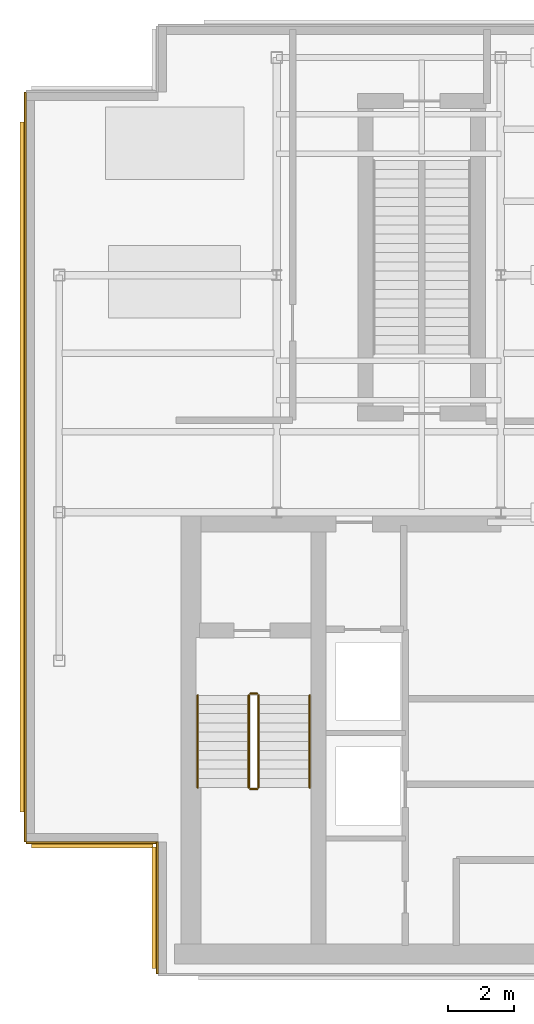
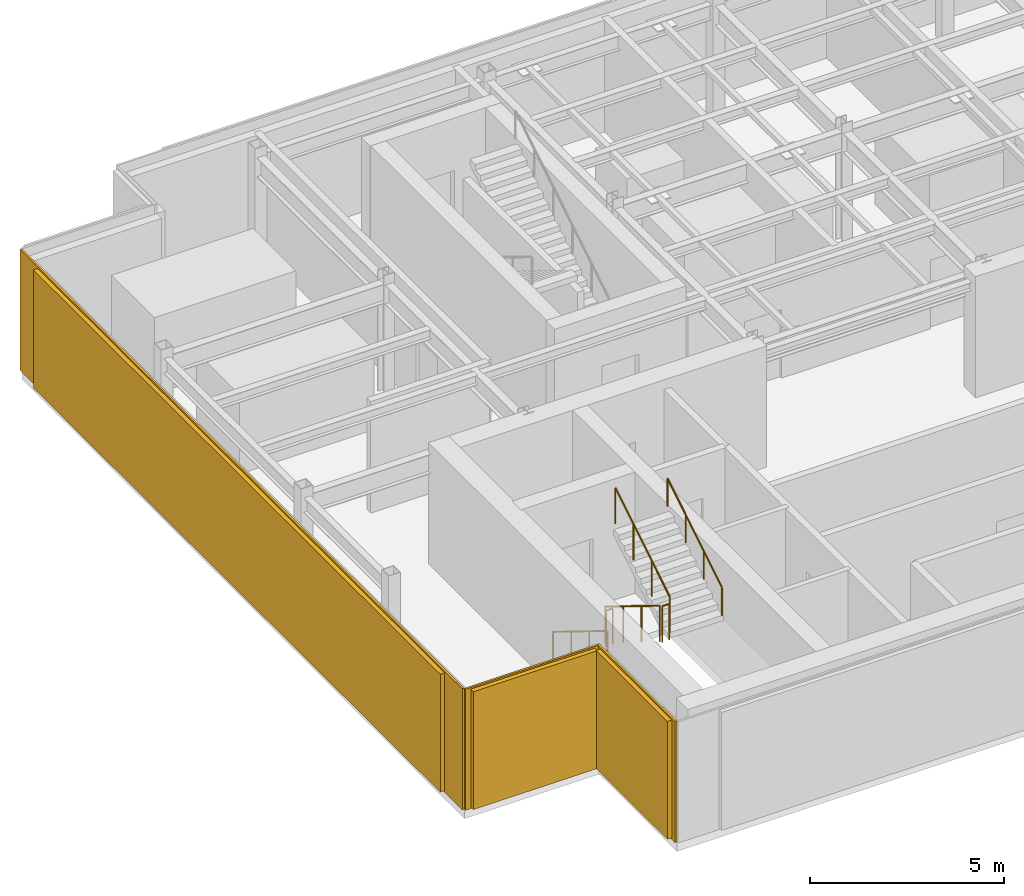
# One storey, part 4 of 7: 6 railings, 3 coverings, 3 shading devices.
"""IFC4 building model written with IfcOpenShell, lengths in metres."""

import ifcopenshell
import ifcopenshell.guid

model = None  # the IFC model being written
_history = None  # IfcOwnerHistory: only IFC2X3 demands one
_inside = {}  # id of a spatial element -> (the spatial element, [elements in it])
_under = {}  # id of a project, library or spatial element -> (it, [spatial elements below it])
_declared = {}  # id of a project -> (the project, [libraries it declares])
_typed = {}  # id of a type object -> (the type object, [elements of that type])
_made_of = {}  # id of a material, layer set ... -> (it, [elements and type objects made of it])


def new_model(schema):
    """Start an empty IFC model of exactly this schema.

    Asked for "IFC4X3", IfcOpenShell would pick the latest addendum, in which some entities
    have other attributes; the version numbers below select the first issue.
    IFC2X3 requires an IfcOwnerHistory on every rooted entity: one is made here for all.
    """
    global model, _history
    if schema == "IFC4X3":
        model = ifcopenshell.file(schema_version=(4, 3, 0, 0))
    else:
        model = ifcopenshell.file(schema=schema)
    _inside.clear()
    _under.clear()
    _declared.clear()
    _typed.clear()
    _made_of.clear()
    _history = None
    if model.schema == "IFC2X3":
        org = make("IfcOrganization", Name="unknown")
        user = make(
            "IfcPersonAndOrganization",
            ThePerson=make("IfcPerson", FamilyName="unknown"),
            TheOrganization=org,
        )
        app = make(
            "IfcApplication",
            ApplicationDeveloper=org,
            Version="unknown",
            ApplicationFullName="unknown",
            ApplicationIdentifier="unknown",
        )
        _history = make(
            "IfcOwnerHistory",
            OwningUser=user,
            OwningApplication=app,
            ChangeAction="ADDED",
            CreationDate=0,
        )
    return model


def make(cls, **values):
    """One entity of the class cls with the attributes given. An attribute that is None is left unset."""
    return model.create_entity(
        cls, **{name: value for name, value in values.items() if value is not None}
    )


def rooted(cls, **values):
    """An entity with a GlobalId (a new one), such as an element, a storey or a relation."""
    return make(cls, GlobalId=ifcopenshell.guid.new(), OwnerHistory=_history, **values)


def si_unit(unit_type, name, prefix=None):
    """IfcSIUnit, for example si_unit("LENGTHUNIT", "METRE", prefix="MILLI")."""
    return make("IfcSIUnit", UnitType=unit_type, Prefix=prefix, Name=name)


def derived_unit(unit_type, elements):
    """IfcDerivedUnit: a product of units, each with its exponent."""
    return make(
        "IfcDerivedUnit",
        Elements=[
            make("IfcDerivedUnitElement", Unit=unit, Exponent=power)
            for unit, power in elements
        ],
        UnitType=unit_type,
    )


def assignment(units):
    """IfcUnitAssignment: the units of a project."""
    return None if units is None else make("IfcUnitAssignment", Units=units)


def point(xyz):
    """IfcCartesianPoint."""
    return None if xyz is None else make("IfcCartesianPoint", Coordinates=xyz)


def direction(xyz):
    """IfcDirection."""
    return None if xyz is None else make("IfcDirection", DirectionRatios=xyz)


def frame(location, z_axis=None, x_axis=None):
    """IfcAxis2Placement3D, a coordinate frame: its origin and axes. An axis left out is left unset."""
    return make(
        "IfcAxis2Placement3D",
        Location=point(location),
        Axis=direction(z_axis),
        RefDirection=direction(x_axis),
    )


def frame_2d(location, x_axis=None):
    """IfcAxis2Placement2D, a coordinate frame in the plane: its origin and x axis."""
    return make(
        "IfcAxis2Placement2D", Location=point(location), RefDirection=direction(x_axis)
    )


def origin():
    """The frame at (0, 0, 0) with its axes left unset."""
    return frame((0.0, 0.0, 0.0))


def origin_2d():
    """The frame at (0, 0) in the plane with its x axis left unset."""
    return frame_2d((0.0, 0.0))


def place(relative_to, where):
    """IfcLocalPlacement: puts the frame where relative to a parent placement (None: the world)."""
    return make(
        "IfcLocalPlacement", PlacementRelTo=relative_to, RelativePlacement=where
    )


def context(
    kind, dimensions, precision=None, world=None, true_north=None, identifier=None
):
    """IfcGeometricRepresentationContext, for example the 3D "Model" context."""
    return make(
        "IfcGeometricRepresentationContext",
        ContextIdentifier=identifier,
        ContextType=kind,
        CoordinateSpaceDimension=dimensions,
        Precision=precision,
        WorldCoordinateSystem=world,
        TrueNorth=true_north,
    )


def subcontext(parent, identifier, kind, view, scale=None):
    """IfcGeometricRepresentationSubContext, for example "Body" below "Model"."""
    return make(
        "IfcGeometricRepresentationSubContext",
        ContextIdentifier=identifier,
        ContextType=kind,
        ParentContext=parent,
        TargetScale=scale,
        TargetView=view,
    )


def project(units=None, contexts=None):
    """IfcProject with its units and contexts."""
    return rooted(
        "IfcProject",
        Name="project",
        RepresentationContexts=contexts,
        UnitsInContext=assignment(units),
    )


def spatial(cls, under=None, at=None, **own):
    """A site, building, storey or space (cls), placed at a placement, below another one or the project."""
    s = rooted(cls, ObjectPlacement=at, **own)
    if under is not None:
        _under.setdefault(under.id(), (under, []))[1].append(s)
    return s


def profile(cls, at=None, kind="AREA", **sizes):
    """A parametric profile (cls). Its sizes go by their IFC names, for example OverallWidth=200.0."""
    return make(cls, ProfileType=kind, Position=at, **sizes)


def rectangle(**sizes):
    """IfcRectangleProfileDef."""
    return profile("IfcRectangleProfileDef", **sizes)


def circle(**sizes):
    """IfcCircleProfileDef."""
    return profile("IfcCircleProfileDef", **sizes)


def extrude(swept, where, along, depth):
    """IfcExtrudedAreaSolid: the profile swept, set in the frame where, extruded along a direction by depth."""
    return make(
        "IfcExtrudedAreaSolid",
        SweptArea=swept,
        Position=where,
        ExtrudedDirection=direction(along),
        Depth=depth,
    )


def shape(context_of_items, identifier, shape_type, items):
    """IfcShapeRepresentation: the items that make up one representation, for example the "Body"."""
    return make(
        "IfcShapeRepresentation",
        ContextOfItems=context_of_items,
        RepresentationIdentifier=identifier,
        RepresentationType=shape_type,
        Items=items,
    )


def source(mapping_origin, context_of_items, identifier, shape_type, items):
    """IfcRepresentationMap: a shape defined once, which mapped items show again and again."""
    return make(
        "IfcRepresentationMap",
        MappingOrigin=mapping_origin,
        MappedRepresentation=shape(context_of_items, identifier, shape_type, items),
    )


def transform(
    local_origin,
    x_axis=None,
    y_axis=None,
    z_axis=None,
    scale=None,
    scale2=None,
    scale3=None,
    uniform=True,
):
    """IfcCartesianTransformationOperator3D, or its non-uniform kind. x_axis, y_axis, z_axis: its Axis1, 2, 3."""
    if uniform:
        return make(
            "IfcCartesianTransformationOperator3D",
            Axis1=direction(x_axis),
            Axis2=direction(y_axis),
            LocalOrigin=point(local_origin),
            Scale=scale,
            Axis3=direction(z_axis),
        )
    return make(
        "IfcCartesianTransformationOperator3DnonUniform",
        Axis1=direction(x_axis),
        Axis2=direction(y_axis),
        LocalOrigin=point(local_origin),
        Scale=scale,
        Axis3=direction(z_axis),
        Scale2=scale2,
        Scale3=scale3,
    )


def mapped(mapping_source, mapping_target):
    """IfcMappedItem: shows the shape of a source again, moved by a transform."""
    return make(
        "IfcMappedItem", MappingSource=mapping_source, MappingTarget=mapping_target
    )


def material(Name=None, Category=None):
    """IfcMaterial."""
    return make("IfcMaterial", Name=Name, Category=Category)


def layer(
    of_material, thickness, ventilated=None, Name=None, Category=None, Priority=None
):
    """IfcMaterialLayer: one layer of a wall or slab, of a material (None: an air gap)."""
    return make(
        "IfcMaterialLayer",
        Material=of_material,
        LayerThickness=thickness,
        IsVentilated=ventilated,
        Name=Name,
        Category=Category,
        Priority=Priority,
    )


def layer_set(layers, Name=None):
    """IfcMaterialLayerSet."""
    return make("IfcMaterialLayerSet", MaterialLayers=layers, LayerSetName=Name)


def made_of(thing, what):
    """Note that an element or type object is made of a material, layer set ...; save() writes the relation."""
    if what is not None:
        _made_of.setdefault(what.id(), (what, []))[1].append(thing)
    return thing


def type_object(cls, material=None, **own):
    """A type object (cls), such as IfcWallType, which elements share."""
    return made_of(rooted(cls, **own), material)


def element(
    cls,
    number,
    at=None,
    inside=None,
    cuts=None,
    type_object=None,
    material=None,
    context=None,
    identifier="Body",
    shape_type=None,
    held_by="IfcProductDefinitionShape",
    body=None,
    shapes=None,
    **own,
):
    """One element of the class cls, such as IfcWall. Its Tag is "e" and its number.

    at: its placement. inside: the storey or other place that contains it. cuts: it is an
    opening in that element (IfcRelVoidsElement). A single representation is given by context,
    identifier, shape_type and body (its items); several are given by shapes. held_by: the class
    of the entity that holds the representations. save() writes the other relations.
    """
    e = rooted(cls, Tag="e%d" % number, ObjectPlacement=at, **own)
    if body is not None:
        shapes = [shape(context, identifier, shape_type, body)]
    if shapes is not None:
        e.Representation = make(held_by, Representations=shapes)
    if inside is not None:
        _inside.setdefault(inside.id(), (inside, []))[1].append(e)
    if cuts is not None:
        rooted(
            "IfcRelVoidsElement", RelatingBuildingElement=cuts, RelatedOpeningElement=e
        )
    if type_object is not None:
        _typed.setdefault(type_object.id(), (type_object, []))[1].append(e)
    return made_of(e, material)


def aggregate(whole, parts):
    """IfcRelAggregates: a whole, such as a stair, and the parts it consists of."""
    return rooted("IfcRelAggregates", RelatingObject=whole, RelatedObjects=parts)


def save(model, path):
    """Write the relations noted so far, then the file.

    IfcRelAggregates (storeys below a building ...), IfcRelContainedInSpatialStructure (elements
    in a storey), IfcRelDefinesByType, IfcRelAssociatesMaterial and IfcRelDeclares: one each for
    every whole, place, type object, material and project.
    """
    for whole, parts in _under.values():
        aggregate(whole, parts)
    for where, things in _inside.values():
        rooted(
            "IfcRelContainedInSpatialStructure",
            RelatedElements=things,
            RelatingStructure=where,
        )
    for kind, things in _typed.values():
        rooted("IfcRelDefinesByType", RelatedObjects=things, RelatingType=kind)
    for what, things in _made_of.values():
        rooted("IfcRelAssociatesMaterial", RelatedObjects=things, RelatingMaterial=what)
    for by, libraries in _declared.values():
        rooted("IfcRelDeclares", RelatingContext=by, RelatedDefinitions=libraries)
    model.write(path)


model = new_model("IFC4")

# Units and contexts
model_context = context("Model", 3, precision=1e-05, world=origin(), true_north=direction((0.0, 1.0)))
body_context = subcontext(model_context, "Body", "Model", "MODEL_VIEW")
ifc_project = project(units=[si_unit("LENGTHUNIT", "METRE"), si_unit("AREAUNIT", "SQUARE_METRE"), si_unit("VOLUMEUNIT", "CUBIC_METRE"), si_unit("PLANEANGLEUNIT", "RADIAN"), si_unit("MASSUNIT", "GRAM", prefix="KILO"), derived_unit("THERMALTRANSMITTANCEUNIT", [(si_unit("POWERUNIT", "WATT"), 1), (si_unit("LENGTHUNIT", "METRE"), -2), (si_unit("THERMODYNAMICTEMPERATUREUNIT", "KELVIN"), -1)])], contexts=[model_context])

# Site, building, storey
site_placement = place(None, origin())
site = spatial("IfcSite", under=ifc_project, at=site_placement, CompositionType="ELEMENT")
building_placement = place(site_placement, origin())
building = spatial("IfcBuilding", under=site, at=building_placement, Name="Skarnbrae Concourse Arena and Tower", CompositionType="ELEMENT")
storey_placement = place(building_placement, frame((0.0, 0.0, 307.449951171875)))
storey = spatial("IfcBuildingStorey", under=building, at=storey_placement, Name="L80", CompositionType="ELEMENT", Elevation=307.449951171875)

# Railings
ifc_material_1 = material(Name="Steel CSA G40.21 350W", Category="steel")
railing_type_1 = type_object("IfcRailingType", Name="RAIL-HANDRAIL-900", PredefinedType="HANDRAIL", material=ifc_material_1)
railing_1_placement = place(storey_placement, frame((5.199951171875, 8.449951171875, 0.1728515625)))
element("IfcRailing", 1, at=railing_1_placement, inside=storey, type_object=railing_type_1, Name="L80 ST-1 stair handrail 1", PredefinedType="HANDRAIL", context=body_context, shape_type="SweptSolid", body=[
    extrude(circle(Radius=0.02392578125, at=origin_2d()), frame((0.0, 0.0, 0.8759765625), z_axis=(0.0, -0.851089632645, 0.525020415988), x_axis=(1.0, 0.0, 0.0)), (0.0, 0.0, 1.0), 3.2900390625),
    extrude(circle(Radius=0.02099609375, at=origin_2d()), origin(), (0.0, 0.0, 1.0), 0.851806640625),
    extrude(circle(Radius=0.02099609375, at=origin_2d()), frame((0.0, -0.933349609375, 0.57568359375)), (0.0, 0.0, 1.0), 0.851806640625),
    extrude(circle(Radius=0.02099609375, at=origin_2d()), frame((0.0, -1.86669921875, 1.151611328125)), (0.0, 0.0, 1.0), 0.851806640625),
    extrude(circle(Radius=0.02099609375, at=origin_2d()), frame((0.0, -2.800048828125, 1.727294921875)), (0.0, 0.0, 1.0), 0.851806640625),
])
railing_2_placement = place(storey_placement, frame((8.60009765625, 5.64990234375, 2.07275390625)))
element("IfcRailing", 2, at=railing_2_placement, inside=storey, type_object=railing_type_1, Name="L80 ST-1 stair handrail 2", PredefinedType="HANDRAIL", context=body_context, shape_type="SweptSolid", body=[
    extrude(circle(Radius=0.02392578125, at=origin_2d()), frame((0.0, 0.0, 0.8759765625), z_axis=(0.0, 0.851089632645, 0.525020415988), x_axis=(-1.0, 0.0, 0.0)), (0.0, 0.0, 1.0), 3.2900390625),
    extrude(circle(Radius=0.02099609375, at=origin_2d()), origin(), (0.0, 0.0, 1.0), 0.851806640625),
    extrude(circle(Radius=0.02099609375, at=origin_2d()), frame((0.0, 0.933349609375, 0.57568359375)), (0.0, 0.0, 1.0), 0.851806640625),
    extrude(circle(Radius=0.02099609375, at=origin_2d()), frame((0.0, 1.86669921875, 1.151611328125)), (0.0, 0.0, 1.0), 0.851806640625),
    extrude(circle(Radius=0.02099609375, at=origin_2d()), frame((0.0, 2.800048828125, 1.727294921875)), (0.0, 0.0, 1.0), 0.851806640625),
])
railing_type_2 = type_object("IfcRailingType", Name="RAIL-STAIR-GUARD-1150", PredefinedType="GUARDRAIL", material=ifc_material_1)
railing_3_placement = place(storey_placement, frame((6.75, 8.449951171875, 0.1728515625)))
element("IfcRailing", 3, at=railing_3_placement, inside=storey, type_object=railing_type_2, Name="L80 ST-1 stair guard 1", PredefinedType="GUARDRAIL", context=body_context, shape_type="SweptSolid", body=[
    extrude(circle(Radius=0.02392578125, at=origin_2d()), frame((0.0, 0.0, 1.1259765625), z_axis=(0.0, -0.851089632645, 0.525020415988), x_axis=(1.0, 0.0, 0.0)), (0.0, 0.0, 1.0), 3.2900390625),
    extrude(circle(Radius=0.02099609375, at=origin_2d()), origin(), (0.0, 0.0, 1.0), 1.101806640625),
    extrude(circle(Radius=0.02099609375, at=origin_2d()), frame((0.0, -0.933349609375, 0.57568359375)), (0.0, 0.0, 1.0), 1.101806640625),
    extrude(circle(Radius=0.02099609375, at=origin_2d()), frame((0.0, -1.86669921875, 1.151611328125)), (0.0, 0.0, 1.0), 1.101806640625),
    extrude(circle(Radius=0.02099609375, at=origin_2d()), frame((0.0, -2.800048828125, 1.727294921875)), (0.0, 0.0, 1.0), 1.101806640625),
])
railing_4_placement = place(storey_placement, frame((6.800048828125, 5.60009765625, 1.900146484375)))
element("IfcRailing", 4, at=railing_4_placement, inside=storey, type_object=railing_type_2, Name="L80 ST-1 stair guard 2", PredefinedType="GUARDRAIL", context=body_context, shape_type="SweptSolid", body=[
    extrude(circle(Radius=0.02392578125, at=origin_2d()), frame((0.0, 0.0, 1.1259765625), z_axis=(1.0, 0.0, 0.0), x_axis=(0.0, 1.0, 0.0)), (0.0, 0.0, 1.0), 0.199951171875),
    extrude(circle(Radius=0.02099609375, at=origin_2d()), origin(), (0.0, 0.0, 1.0), 1.101806640625),
    extrude(circle(Radius=0.02099609375, at=origin_2d()), frame((0.199951171875, 0.0, 0.0)), (0.0, 0.0, 1.0), 1.101806640625),
])
railing_5_placement = place(storey_placement, frame((7.050048828125, 5.64990234375, 2.07275390625)))
element("IfcRailing", 5, at=railing_5_placement, inside=storey, type_object=railing_type_2, Name="L80 ST-1 stair guard 3", PredefinedType="GUARDRAIL", context=body_context, shape_type="SweptSolid", body=[
    extrude(circle(Radius=0.02392578125, at=origin_2d()), frame((0.0, 0.0, 1.1259765625), z_axis=(0.0, 0.851089632645, 0.525020415988), x_axis=(-1.0, 0.0, 0.0)), (0.0, 0.0, 1.0), 3.2900390625),
    extrude(circle(Radius=0.02099609375, at=origin_2d()), origin(), (0.0, 0.0, 1.0), 1.101806640625),
    extrude(circle(Radius=0.02099609375, at=origin_2d()), frame((0.0, 0.933349609375, 0.57568359375)), (0.0, 0.0, 1.0), 1.101806640625),
    extrude(circle(Radius=0.02099609375, at=origin_2d()), frame((0.0, 1.86669921875, 1.151611328125)), (0.0, 0.0, 1.0), 1.101806640625),
    extrude(circle(Radius=0.02099609375, at=origin_2d()), frame((0.0, 2.800048828125, 1.727294921875)), (0.0, 0.0, 1.0), 1.101806640625),
])
railing_6_placement = place(storey_placement, frame((6.800048828125, 8.5, 0.0)))
element("IfcRailing", 6, at=railing_6_placement, inside=storey, type_object=railing_type_2, Name="L80 ST-1 stair guard 4", PredefinedType="GUARDRAIL", context=body_context, shape_type="SweptSolid", body=[
    extrude(circle(Radius=0.02392578125, at=origin_2d()), frame((0.0, 0.0, 1.1259765625), z_axis=(1.0, 0.0, 0.0), x_axis=(0.0, 1.0, 0.0)), (0.0, 0.0, 1.0), 0.199951171875),
    extrude(circle(Radius=0.02099609375, at=origin_2d()), origin(), (0.0, 0.0, 1.0), 1.101806640625),
    extrude(circle(Radius=0.02099609375, at=origin_2d()), frame((0.199951171875, 0.0, 0.0)), (0.0, 0.0, 1.0), 1.101806640625),
])

# Coverings
ifc_material_2 = material(Name="Bronze anodised aluminium 6063-T6", Category="aluminium")
ifc_layer = layer(ifc_material_2, 0.06005859375)
ifc_layer_set = layer_set([ifc_layer], Name="Bronze anodised aluminium 6063-T6")
covering_type = type_object("IfcCoveringType", Name="COV-CLAD-BRONZE-60", PredefinedType="CLADDING", material=ifc_layer_set)
shared_shape_1 = source(origin(), body_context, "Body", "SweptSolid", [
    extrude(rectangle(XDim=4.0, YDim=0.06005859375, at=origin_2d()), origin(), (0.0, 0.0, 1.0), 3.800048828125),
])
for number, where, z_axis, x_axis, name in (
    (7, (2.0, 3.969970703125, 0.0), (0.0, 0.0, 1.0), (1.0, 0.0, 0.0), "L80 Bronze crown rainscreen cladding 11"),
    (8, (3.969970703125, 2.0, 0.0), (0.0, 0.0, 1.0), (0.0, -1.0, 0.0), "L80 Bronze crown rainscreen cladding 12"),
):
    element("IfcCovering", number, at=place(storey_placement, frame(where, z_axis=z_axis, x_axis=x_axis)), inside=storey, type_object=covering_type, Name=name, PredefinedType="CLADDING", context=body_context, shape_type="MappedRepresentation", body=[
        mapped(shared_shape_1, transform((0.0, 0.0, 0.0))),
    ])

# Shading devices
shading_device_type = type_object("IfcShadingDeviceType", Name="SHD-BRONZE-LOUVRE-150", PredefinedType="USERDEFINED", material=ifc_material_2)
shared_shape_2 = source(origin(), body_context, "Body", "SweptSolid", [
    extrude(rectangle(XDim=3.679931640625, YDim=0.139892578125, at=origin_2d()), origin(), (0.0, 0.0, 1.0), 3.699951171875),
])
for number, where, z_axis, x_axis, name in (
    (9, (2.0, 3.8798828125, 0.05029296875), (0.0, 0.0, 1.0), (1.0, 0.0, 0.0), "L80 Crown bronze architectural louvre screen 11"),
    (10, (3.8798828125, 2.0, 0.05029296875), (0.0, 0.0, 1.0), (0.0, -1.0, 0.0), "L80 Crown bronze architectural louvre screen 12"),
):
    element("IfcShadingDevice", number, at=place(storey_placement, frame(where, z_axis=z_axis, x_axis=x_axis)), inside=storey, type_object=shading_device_type, Name=name, ObjectType="LOUVRE", PredefinedType="USERDEFINED", context=body_context, shape_type="MappedRepresentation", body=[
        mapped(shared_shape_2, transform((0.0, 0.0, 0.0))),
    ])

# Covering
shared_shape_3 = source(origin(), body_context, "Body", "SweptSolid", [
    extrude(rectangle(XDim=22.75, YDim=0.06005859375, at=origin_2d()), origin(), (0.0, 0.0, 1.0), 3.800048828125),
])
covering_placement = place(storey_placement, frame((-0.030029296875, 15.375, 0.0), z_axis=(0.0, 0.0, 1.0), x_axis=(0.0, -1.0, 0.0)))
element("IfcCovering", 11, at=covering_placement, inside=storey, type_object=covering_type, Name="L80 Bronze crown rainscreen cladding 10", PredefinedType="CLADDING", context=body_context, shape_type="MappedRepresentation", body=[
    mapped(shared_shape_3, transform((0.0, 0.0, 0.0))),
])

# Shading device
shared_shape_4 = source(origin(), body_context, "Body", "SweptSolid", [
    extrude(rectangle(XDim=20.929931640625, YDim=0.139892578125, at=origin_2d()), origin(), (0.0, 0.0, 1.0), 3.699951171875),
])
shading_device_placement = place(storey_placement, frame((-0.1201171875, 15.375, 0.05029296875), z_axis=(0.0, 0.0, 1.0), x_axis=(0.0, -1.0, 0.0)))
element("IfcShadingDevice", 12, at=shading_device_placement, inside=storey, type_object=shading_device_type, Name="L80 Crown bronze architectural louvre screen 10", ObjectType="LOUVRE", PredefinedType="USERDEFINED", context=body_context, shape_type="MappedRepresentation", body=[
    mapped(shared_shape_4, transform((0.0, 0.0, 0.0))),
])

save(model, "model.ifc")
